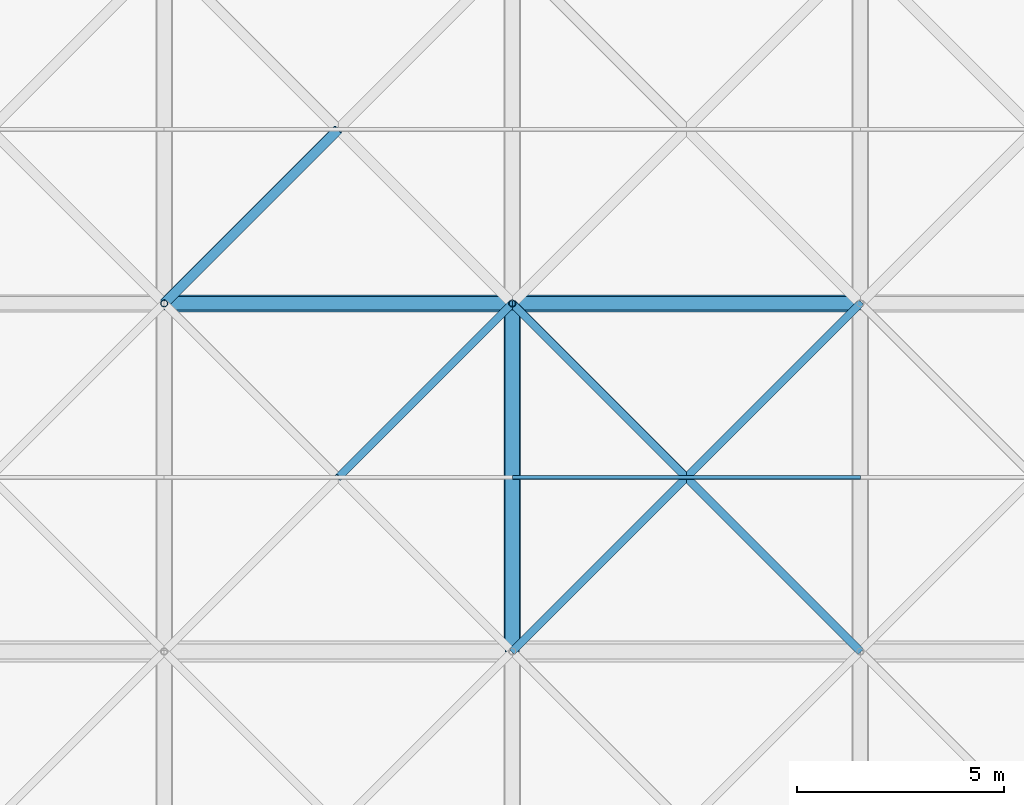
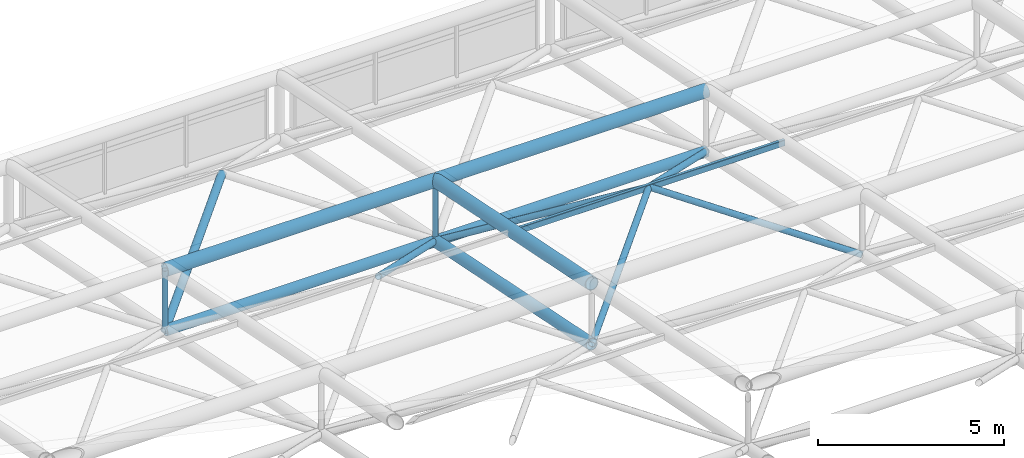
# One storey, part 56 of 110: 15 members.
"""IFC4 building model written with IfcOpenShell, lengths in metres."""

from ifc_helpers import new_model, si_unit, direction, frame, origin, origin_2d, place, context, subcontext, project, spatial, hollow_rectangle, hollow_circle, extrude, material, material_profile, profile_set, type_object, element, save


model = new_model("IFC4")

# Units and contexts
model_context = context("Model", 3, precision=1e-05, world=origin(), true_north=direction((0.0, 1.0)))
body_context = subcontext(model_context, "Body", "Model", "MODEL_VIEW")
ifc_project = project(units=[si_unit("LENGTHUNIT", "METRE"), si_unit("AREAUNIT", "SQUARE_METRE"), si_unit("VOLUMEUNIT", "CUBIC_METRE"), si_unit("PLANEANGLEUNIT", "RADIAN"), si_unit("MASSUNIT", "GRAM", prefix="KILO")], contexts=[model_context])

# Site, building, storey
site_placement = place(None, origin())
site = spatial("IfcSite", under=ifc_project, at=site_placement, CompositionType="ELEMENT")
building_placement = place(site_placement, origin())
building = spatial("IfcBuilding", under=site, at=building_placement, Name="Qawsi Khor Wholesale Market", CompositionType="ELEMENT")
storey_placement = place(building_placement, frame((0.0, 0.0, 11.39990234375)))
storey = spatial("IfcBuildingStorey", under=building, at=storey_placement, Name="L02", CompositionType="ELEMENT", Elevation=11.39990234375)

# Members
ifc_material = material(Name="Steel S355", Category="steel")
ifc_material_profile_1 = material_profile(ifc_material, hollow_circle(Radius=0.177734375, WallThickness=0.01611328125, at=origin_2d()), Name="CHS 355.6x16.0")
ifc_profile_set_1 = profile_set([ifc_material_profile_1], Name="Steel S355")
member_type_1 = type_object("IfcMemberType", Name="Space-Frame Bottom Chord CHS 355.6x16.0", PredefinedType="CHORD", material=ifc_profile_set_1)
member_1_placement = place(storey_placement, frame((184.800048828125, 92.39990234375, 3.3701171875), z_axis=(0.0, 0.98013111127, -0.198350711418), x_axis=(-1.0, 0.0, 0.0)))
element("IfcMember", 1, at=member_1_placement, inside=storey, type_object=member_type_1, Name="Space frame bottom chord Y EH (22,11)", PredefinedType="CHORD", context=body_context, shape_type="SweptSolid", body=[
    extrude(hollow_circle(Radius=0.177734375, WallThickness=0.01611328125, at=origin_2d()), origin(), (0.0, 0.0, 1.0), 8.5703125),
])
ifc_material_profile_2 = material_profile(ifc_material, hollow_circle(Radius=0.122314453125, WallThickness=0.012451171875, at=origin_2d()), Name="CHS 244.5x12.5")
ifc_profile_set_2 = profile_set([ifc_material_profile_2], Name="Steel S355")
member_type_2 = type_object("IfcMemberType", Name="Space-Frame Heavy Diagonal CHS 244.5x12.5", PredefinedType="POST", material=ifc_profile_set_2)
member_2_placement = place(storey_placement, frame((176.39990234375, 100.800048828125, 1.670166015625), z_axis=(0.694237619642, 0.694197266374, 0.19006389145), x_axis=(-0.70708622964, 0.707127332136, 0.0)))
element("IfcMember", 2, at=member_2_placement, inside=storey, type_object=member_type_2, Name="Space frame diagonal EH (21,12)-1", PredefinedType="POST", context=body_context, shape_type="SweptSolid", body=[
    extrude(hollow_circle(Radius=0.122314453125, WallThickness=0.012451171875, at=origin_2d()), origin(), (0.0, 0.0, 1.0), 6.050048828125),
])
ifc_material_profile_3 = material_profile(ifc_material, hollow_rectangle(XDim=0.10009765625, YDim=0.199951171875, WallThickness=0.008056640625, InnerFilletRadius=0.008056640625, OuterFilletRadius=0.01611328125, at=origin_2d()), Name="RHS 200x100x8.0")
ifc_profile_set_3 = profile_set([ifc_material_profile_3], Name="Steel S355")
member_type_3 = type_object("IfcMemberType", Name="Space-Frame Purlin RHS 200x100x8.0", PredefinedType="PURLIN", material=ifc_profile_set_3)
member_3_placement = place(storey_placement, frame((184.800048828125, 96.60009765625, 4.52001953125), z_axis=(1.0, 0.0, 0.0), x_axis=(0.0, 1.0, 0.0)))
element("IfcMember", 3, at=member_3_placement, inside=storey, type_object=member_type_3, Name="Space frame purlin EH (22,11)", PredefinedType="PURLIN", context=body_context, shape_type="SweptSolid", body=[
    extrude(hollow_rectangle(XDim=0.10009765625, YDim=0.199951171875, WallThickness=0.008056640625, InnerFilletRadius=0.008056640625, OuterFilletRadius=0.01611328125, at=origin_2d()), origin(), (0.0, 0.0, 1.0), 8.39990234375),
])
ifc_material_profile_4 = material_profile(ifc_material, hollow_circle(Radius=0.161865234375, WallThickness=0.01611328125, at=origin_2d()), Name="CHS 323.9x16.0")
ifc_profile_set_4 = profile_set([ifc_material_profile_4], Name="Steel S355")
member_type_4 = type_object("IfcMemberType", Name="Space-Frame Secondary Chord CHS 323.9x16.0", PredefinedType="CHORD", material=ifc_profile_set_4)
member_4_placement = place(storey_placement, frame((176.39990234375, 100.800048828125, 1.670166015625), z_axis=(1.0, 0.0, 0.0), x_axis=(0.0, 1.0, 0.0)))
element("IfcMember", 4, at=member_4_placement, inside=storey, type_object=member_type_4, Name="Space frame bottom chord X EH (21,12)", PredefinedType="CHORD", context=body_context, shape_type="SweptSolid", body=[
    extrude(hollow_circle(Radius=0.161865234375, WallThickness=0.01611328125, at=origin_2d()), origin(), (0.0, 0.0, 1.0), 8.400146484375),
])
member_5_placement = place(storey_placement, frame((184.800048828125, 100.800048828125, 1.670166015625), z_axis=(1.0, 0.0, 0.0), x_axis=(0.0, 1.0, 0.0)))
element("IfcMember", 5, at=member_5_placement, inside=storey, type_object=member_type_4, Name="Space frame bottom chord X EH (22,12)", PredefinedType="CHORD", context=body_context, shape_type="SweptSolid", body=[
    extrude(hollow_circle(Radius=0.161865234375, WallThickness=0.01611328125, at=origin_2d()), origin(), (0.0, 0.0, 1.0), 8.39990234375),
])
ifc_material_profile_5 = material_profile(ifc_material, hollow_circle(Radius=0.096923828125, WallThickness=0.008056640625, at=origin_2d()), Name="CHS 193.7x8.0")
ifc_profile_set_5 = profile_set([ifc_material_profile_5], Name="Steel S355")
member_type_5 = type_object("IfcMemberType", Name="Space-Frame Secondary Diagonal CHS 193.7x8.0", PredefinedType="RAFTER", material=ifc_profile_set_5)
member_6_placement = place(storey_placement, frame((184.800048828125, 100.800048828125, 1.670166015625), z_axis=(-0.637521961484, -0.637521961484, 0.432586982294), x_axis=(0.707106781187, -0.707106781187, 0.0)))
element("IfcMember", 6, at=member_6_placement, inside=storey, type_object=member_type_5, Name="Space frame diagonal EH (21,11)-3", PredefinedType="RAFTER", context=body_context, shape_type="SweptSolid", body=[
    extrude(hollow_circle(Radius=0.096923828125, WallThickness=0.008056640625, at=origin_2d()), origin(), (0.0, 0.0, 1.0), 6.587890625),
])
for number, where, z_axis, x_axis, name in (
    (7, (184.800048828125, 92.39990234375, 3.3701171875), (0.694197266374, 0.694237619642, 0.19006389145), (-0.707127332136, 0.70708622964, 0.0), "Space frame diagonal EH (22,11)-1"),
    (8, (193.199951171875, 92.39990234375, 3.3701171875), (-0.694197266374, 0.694237619642, 0.19006389145), (-0.707127332136, -0.70708622964, 0.0), "Space frame diagonal EH (22,11)-2"),
):
    element("IfcMember", number, at=place(storey_placement, frame(where, z_axis=z_axis, x_axis=x_axis)), inside=storey, type_object=member_type_5, Name=name, PredefinedType="RAFTER", context=body_context, shape_type="SweptSolid", body=[
        extrude(hollow_circle(Radius=0.096923828125, WallThickness=0.008056640625, at=origin_2d()), origin(), (0.0, 0.0, 1.0), 6.050048828125),
    ])
for number, where, z_axis, x_axis, name in (
    (9, (193.199951171875, 100.800048828125, 1.670166015625), (-0.637521961484, -0.637521961484, 0.432586982294), (0.707106781187, -0.707106781187, 0.0), "Space frame diagonal EH (22,11)-3"),
    (10, (184.800048828125, 100.800048828125, 1.670166015625), (0.637521961484, -0.637521961484, 0.432586982294), (0.707106781187, 0.707106781187, 0.0), "Space frame diagonal EH (22,11)-4"),
):
    element("IfcMember", number, at=place(storey_placement, frame(where, z_axis=z_axis, x_axis=x_axis)), inside=storey, type_object=member_type_5, Name=name, PredefinedType="RAFTER", context=body_context, shape_type="SweptSolid", body=[
        extrude(hollow_circle(Radius=0.096923828125, WallThickness=0.008056640625, at=origin_2d()), origin(), (0.0, 0.0, 1.0), 6.587890625),
    ])
ifc_material_profile_6 = material_profile(ifc_material, hollow_circle(Radius=0.203125, WallThickness=0.02001953125, at=origin_2d()), Name="CHS 406.4x20.0")
ifc_profile_set_6 = profile_set([ifc_material_profile_6], Name="Steel S355")
member_type_6 = type_object("IfcMemberType", Name="Space-Frame Top Chord CHS 406.4x20.0", PredefinedType="CHORD", material=ifc_profile_set_6)
member_7_placement = place(storey_placement, frame((176.39990234375, 100.800048828125, 3.670166015625), z_axis=(1.0, 0.0, 0.0), x_axis=(0.0, 1.0, 0.0)))
element("IfcMember", 11, at=member_7_placement, inside=storey, type_object=member_type_6, Name="Space frame top chord X EH (21,12)", PredefinedType="CHORD", context=body_context, shape_type="SweptSolid", body=[
    extrude(hollow_circle(Radius=0.203125, WallThickness=0.02001953125, at=origin_2d()), origin(), (0.0, 0.0, 1.0), 8.400146484375),
])
member_8_placement = place(storey_placement, frame((184.800048828125, 92.39990234375, 5.3701171875), z_axis=(0.0, 0.98013111127, -0.198350711418), x_axis=(-1.0, 0.0, 0.0)))
element("IfcMember", 12, at=member_8_placement, inside=storey, type_object=member_type_6, Name="Space frame top chord Y EH (22,11)", PredefinedType="CHORD", context=body_context, shape_type="SweptSolid", body=[
    extrude(hollow_circle(Radius=0.203125, WallThickness=0.02001953125, at=origin_2d()), origin(), (0.0, 0.0, 1.0), 8.5703125),
])
member_9_placement = place(storey_placement, frame((184.800048828125, 100.800048828125, 3.670166015625), z_axis=(1.0, 0.0, 0.0), x_axis=(0.0, 1.0, 0.0)))
element("IfcMember", 13, at=member_9_placement, inside=storey, type_object=member_type_6, Name="Space frame top chord X EH (22,12)", PredefinedType="CHORD", context=body_context, shape_type="SweptSolid", body=[
    extrude(hollow_circle(Radius=0.203125, WallThickness=0.02001953125, at=origin_2d()), origin(), (0.0, 0.0, 1.0), 8.39990234375),
])
ifc_material_profile_7 = material_profile(ifc_material, hollow_circle(Radius=0.084228515625, WallThickness=0.008056640625, at=origin_2d()), Name="CHS 168.3x8.0")
ifc_profile_set_7 = profile_set([ifc_material_profile_7], Name="Steel S355")
member_type_7 = type_object("IfcMemberType", Name="Space-Frame Vertical Strut CHS 168.3x8.0", PredefinedType="STRUT", material=ifc_profile_set_7)
for number, where, z_axis, x_axis, name in (
    (14, (176.39990234375, 100.800048828125, 1.670166015625), (0.0, 0.0, 1.0), (1.0, 0.0, 0.0), "Space frame post EH (21,12)"),
    (15, (184.800048828125, 100.800048828125, 1.670166015625), (0.0, 0.0, 1.0), (1.0, 0.0, 0.0), "Space frame post EH (22,12)"),
):
    element("IfcMember", number, at=place(storey_placement, frame(where, z_axis=z_axis, x_axis=x_axis)), inside=storey, type_object=member_type_7, Name=name, PredefinedType="STRUT", context=body_context, shape_type="SweptSolid", body=[
        extrude(hollow_circle(Radius=0.084228515625, WallThickness=0.008056640625, at=origin_2d()), origin(), (0.0, 0.0, 1.0), 2.0),
    ])

save(model, "model.ifc")
